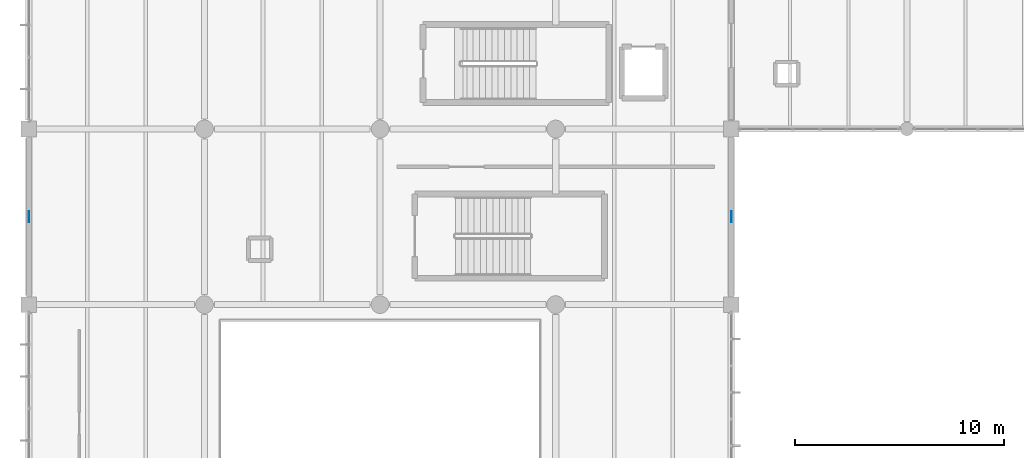
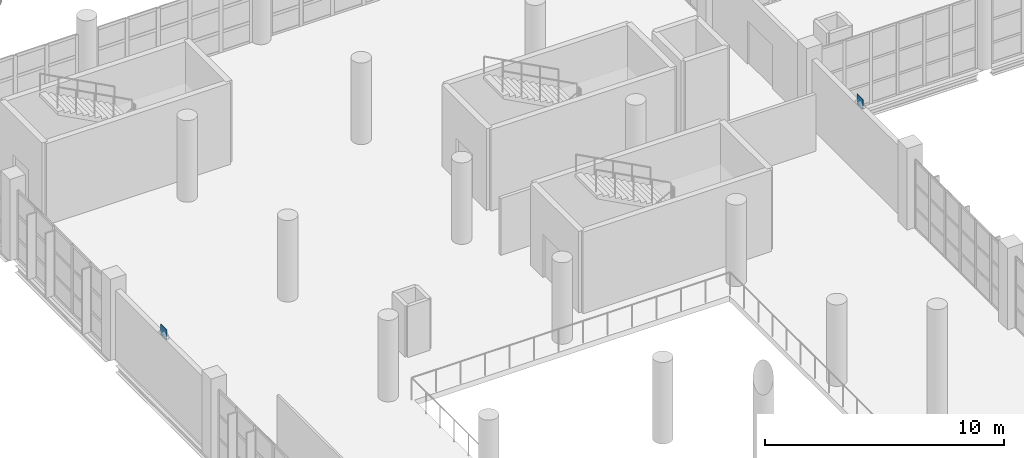
# One storey, part 142 of 177: 2 plates.
"""IFC4 building model written with IfcOpenShell, lengths in metres."""

from ifc_helpers import new_model, si_unit, direction, frame, origin, origin_2d, place, context, subcontext, project, spatial, rectangle, extrude, material, layer, layer_set, type_object, element, save


model = new_model("IFC4")

# Units and contexts
model_context = context("Model", 3, precision=1e-05, world=origin(), true_north=direction((0.0, 1.0)))
body_context = subcontext(model_context, "Body", "Model", "MODEL_VIEW")
ifc_project = project(units=[si_unit("LENGTHUNIT", "METRE"), si_unit("AREAUNIT", "SQUARE_METRE"), si_unit("VOLUMEUNIT", "CUBIC_METRE"), si_unit("PLANEANGLEUNIT", "RADIAN"), si_unit("MASSUNIT", "GRAM", prefix="KILO"), si_unit("THERMODYNAMICTEMPERATUREUNIT", "KELVIN"), si_unit("POWERUNIT", "WATT")], contexts=[model_context])

# Site, building, storey
site_placement = place(None, origin())
site = spatial("IfcSite", under=ifc_project, at=site_placement, CompositionType="ELEMENT")
building_placement = place(site_placement, origin())
building = spatial("IfcBuilding", under=site, at=building_placement, Name="Mavoryth Pier Ferry Terminal", CompositionType="ELEMENT")
storey_placement = place(building_placement, frame((0.0, 0.0, 5.43994140625)))
storey = spatial("IfcBuildingStorey", under=building, at=storey_placement, Name="L01", CompositionType="ELEMENT", Elevation=5.43994140625)

# Plates
ifc_material = material(Name="Steel S355J2", Category="steel")
ifc_layer = layer(ifc_material, 0.02001953125, Name="Steel S355J2", Category="steel")
ifc_layer_set = layer_set([ifc_layer], Name="Steel S355J2 - Plate-Gusset-520x520x20")
plate_type = type_object("IfcPlateType", Name="Plate-Gusset-520x520x20", PredefinedType="SHEET", material=ifc_layer_set)
for number, where, z_axis, x_axis, name in (
    (1, (0.0, 85.0, 3.400146484375), (0.0, 0.0, 1.0), (0.0, 1.0, 0.0), "Steel Node Plate PL-L01-0080"),
    (2, (33.60009765625, 85.0, 3.400146484375), (0.0, 0.0, 1.0), (0.0, 1.0, 0.0), "Steel Node Plate PL-L01-0082"),
):
    element("IfcPlate", number, at=place(storey_placement, frame(where, z_axis=z_axis, x_axis=x_axis)), inside=storey, type_object=plate_type, Name=name, PredefinedType="SHEET", context=body_context, shape_type="SweptSolid", body=[
        extrude(rectangle(XDim=0.52001953125, YDim=0.02001953125, at=origin_2d()), origin(), (0.0, 0.0, 1.0), 0.52001953125),
    ])

save(model, "model.ifc")
